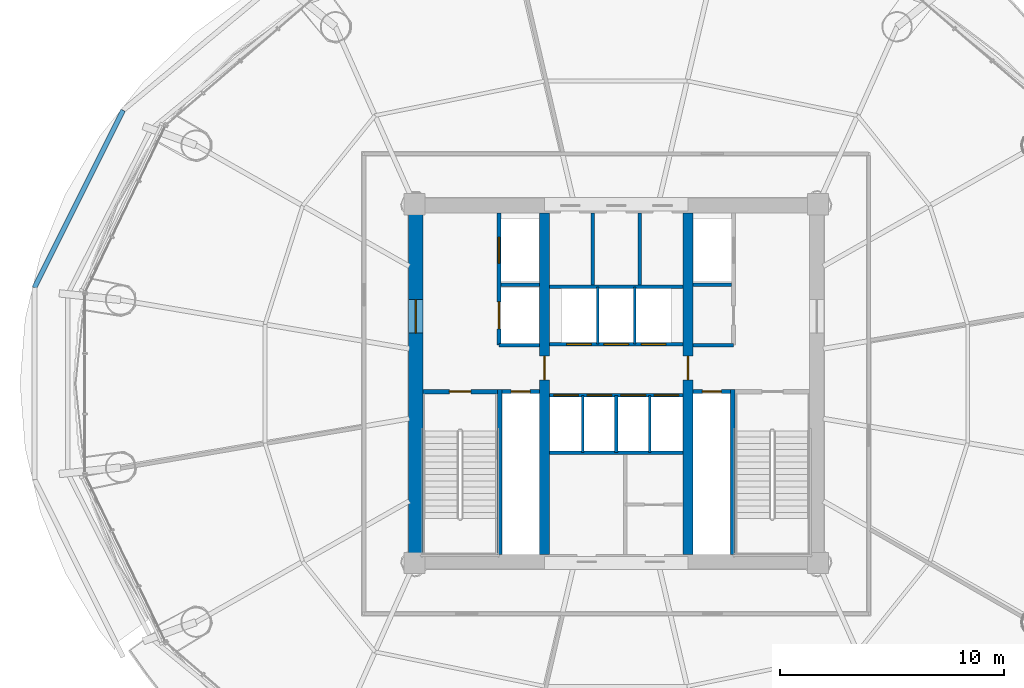
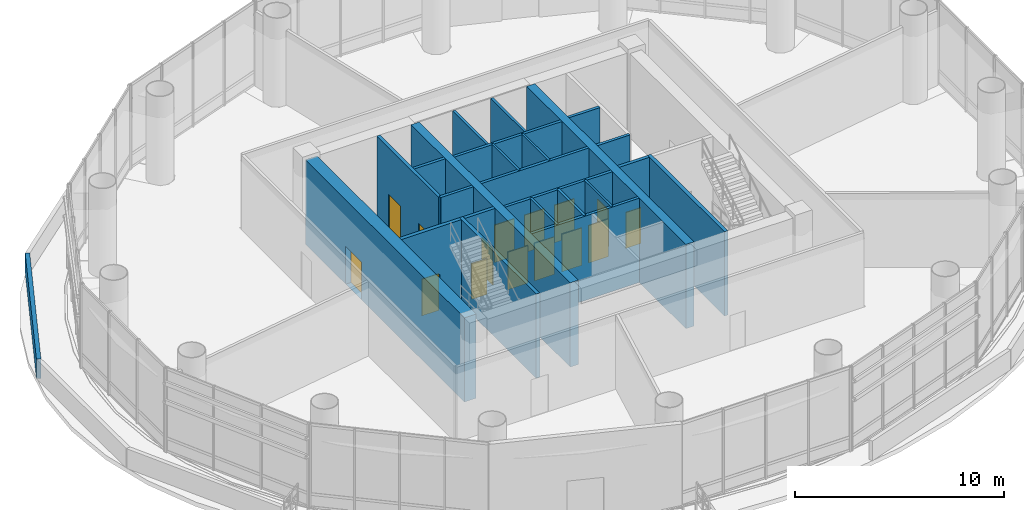
# One storey, part 22 of 29: 25 walls, 15 doors, 15 openings.
"""IFC4 building model written with IfcOpenShell, lengths in metres."""

from ifc_helpers import new_model, si_unit, direction, frame, frame_2d, origin, place, context, subcontext, project, spatial, rectangle, extrude, source, transform, mapped, material, layer, layer_set, type_object, element, fill, save


model = new_model("IFC4")

# Units and contexts
model_context = context("Model", 3, precision=1e-05, world=origin(), true_north=direction((-0.2419218956, 0.970295726276)))
body_context = subcontext(model_context, "Body", "Model", "MODEL_VIEW")
ifc_project = project(units=[si_unit("LENGTHUNIT", "METRE"), si_unit("AREAUNIT", "SQUARE_METRE"), si_unit("VOLUMEUNIT", "CUBIC_METRE"), si_unit("PLANEANGLEUNIT", "RADIAN"), si_unit("MASSUNIT", "GRAM", prefix="KILO")], contexts=[model_context])

# Site, building, storey
site_placement = place(None, origin())
site = spatial("IfcSite", under=ifc_project, at=site_placement, CompositionType="ELEMENT")
building_placement = place(site_placement, origin())
building = spatial("IfcBuilding", under=site, at=building_placement, Name="Cobrevalo Terracotta Tower", CompositionType="ELEMENT")
storey_placement = place(building_placement, frame((0.0, 0.0, 130.199951171875)))
storey = spatial("IfcBuildingStorey", under=building, at=storey_placement, Name="L34", CompositionType="ELEMENT", Elevation=130.199951171875)

# Wall, opening, door
ifc_material_1 = material(Name="Concrete C55", Category="concrete")
ifc_layer_1 = layer(ifc_material_1, 0.64990234375)
ifc_layer_set_1 = layer_set([ifc_layer_1], Name="Concrete C55")
wall_type_1 = type_object("IfcWallType", Name="Core shear wall 650 mm Concrete C55", PredefinedType="SHEAR", material=ifc_layer_set_1)
wall_1_placement = place(storey_placement, frame((29.050048828125, 19.175048828125, 0.0), z_axis=(0.0, 0.0, 1.0), x_axis=(0.0, 1.0, 0.0)))
wall_1 = element("IfcWall", 1, at=wall_1_placement, inside=storey, type_object=wall_type_1, Name="L34 west core shear wall", PredefinedType="SHEAR", context=body_context, shape_type="SweptSolid", body=[
    extrude(rectangle(XDim=15.25, YDim=0.64990234375, at=frame_2d((7.625, 0.0))), origin(), (0.0, 0.0, 1.0), 4.929931640625),
])
opening_1_placement = place(wall_1_placement, frame((9.875, 0.0, 0.0)))
opening_1 = element("IfcOpeningElement", 2, at=opening_1_placement, cuts=wall_1, Name="Opening ID-14", PredefinedType="OPENING", context=body_context, shape_type="SweptSolid", body=[
    extrude(rectangle(XDim=1.5, YDim=2.199951171875, at=frame_2d((0.75, 1.10009765625))), frame((0.0, 0.3349609375, 0.0), z_axis=(0.0, -1.0, 0.0), x_axis=(1.0, 0.0, 0.0)), (0.0, 0.0, 1.0), 0.669921875),
])
ifc_material_2 = material(Name="Galvanized fire-rated steel", Category="steel")
door_type_1 = type_object("IfcDoorType", Name="Core cross-lobby double fire door 1500x2200 EI 90", OperationType="NOTDEFINED", PredefinedType="DOOR", material=ifc_material_2)
shared_shape_1 = source(origin(), body_context, "Body", "SweptSolid", [
    extrude(rectangle(XDim=1.5, YDim=2.199951171875, at=frame_2d((0.75, 1.10009765625))), frame((0.0, 0.02490234375, 0.0), z_axis=(0.0, -1.0, 0.0), x_axis=(1.0, 0.0, 0.0)), (0.0, 0.0, 1.0), 0.050048828125),
])
door_1_placement = place(opening_1_placement, origin())
door_1 = element("IfcDoor", 3, at=door_1_placement, inside=storey, type_object=door_type_1, Name="L34 west firefighting lobby entrance door", OperationType="DOUBLE_DOOR_SINGLE_SWING", OverallHeight=2.199951171875, OverallWidth=1.5, PredefinedType="DOOR", context=body_context, shape_type="MappedRepresentation", body=[
    mapped(shared_shape_1, transform((0.0, 0.0, 0.0), scale=1.0)),
])
fill(opening_1, door_1)

# Walls
ifc_material_3 = material(Name="Gypsum board on steel stud", Category="steel")
ifc_layer_2 = layer(ifc_material_3, 0.159912109375)
ifc_layer_set_2 = layer_set([ifc_layer_2], Name="Gypsum board on steel stud")
wall_type_2 = type_object("IfcWallType", Name="Fire-rated corridor acoustic partition wall 160 mm", PredefinedType="PARTITIONING", material=ifc_layer_set_2)
wall_2_placement = place(storey_placement, frame((32.860107421875, 31.219970703125, 0.0), z_axis=(0.0, 0.0, 1.0), x_axis=(1.0, 0.0, 0.0)))
element("IfcWall", 4, at=wall_2_placement, inside=storey, type_object=wall_type_2, Name="L34 interior partition IW-L34-FF1-M", PredefinedType="PARTITIONING", context=body_context, shape_type="SweptSolid", body=[
    extrude(rectangle(XDim=1.71484375, YDim=0.159912109375, at=frame_2d((0.857421875, 0.0))), origin(), (0.0, 0.0, 1.0), 4.929931640625),
])
wall_3_placement = place(storey_placement, frame((32.77001953125, 28.52001953125, 0.0), z_axis=(0.0, 0.0, 1.0), x_axis=(1.0, 0.0, 0.0)))
element("IfcWall", 5, at=wall_3_placement, inside=storey, type_object=wall_type_2, Name="L34 interior partition IW-L34-FF1-S", PredefinedType="PARTITIONING", context=body_context, shape_type="SweptSolid", body=[
    extrude(rectangle(XDim=1.804931640625, YDim=0.159912109375, at=frame_2d((0.90234375, 0.0))), origin(), (0.0, 0.0, 1.0), 4.929931640625),
])
wall_4_placement = place(storey_placement, frame((41.425048828125, 31.219970703125, 0.0), z_axis=(0.0, 0.0, 1.0), x_axis=(1.0, 0.0, 0.0)))
element("IfcWall", 6, at=wall_4_placement, inside=storey, type_object=wall_type_2, Name="L34 interior partition IW-L34-FF2-M", PredefinedType="PARTITIONING", context=body_context, shape_type="SweptSolid", body=[
    extrude(rectangle(XDim=1.71484375, YDim=0.159912109375, at=frame_2d((0.857421875, 0.0))), origin(), (0.0, 0.0, 1.0), 4.929931640625),
])
wall_5_placement = place(storey_placement, frame((41.425048828125, 28.52001953125, 0.0), z_axis=(0.0, 0.0, 1.0), x_axis=(1.0, 0.0, 0.0)))
element("IfcWall", 7, at=wall_5_placement, inside=storey, type_object=wall_type_2, Name="L34 interior partition IW-L34-FF2-S", PredefinedType="PARTITIONING", context=body_context, shape_type="SweptSolid", body=[
    extrude(rectangle(XDim=1.804931640625, YDim=0.159912109375, at=frame_2d((0.90234375, 0.0))), origin(), (0.0, 0.0, 1.0), 4.929931640625),
])

# Wall, openings, doors
wall_6_placement = place(storey_placement, frame((35.02490234375, 28.56005859375, 0.0), z_axis=(0.0, 0.0, 1.0), x_axis=(1.0, 0.0, 0.0)))
wall_6 = element("IfcWall", 8, at=wall_6_placement, inside=storey, type_object=wall_type_2, Name="L34 interior partition IW-L34-LB-S", PredefinedType="PARTITIONING", context=body_context, shape_type="SweptSolid", body=[
    extrude(rectangle(XDim=5.9501953125, YDim=0.159912109375, at=frame_2d((2.97509765625, 0.0))), origin(), (0.0, 0.0, 1.0), 4.929931640625),
])
opening_2_placement = place(wall_6_placement, frame((0.760009765625, 0.0, 0.0)))
opening_2 = element("IfcOpeningElement", 9, at=opening_2_placement, cuts=wall_6, Name="Opening LD-01", PredefinedType="OPENING", context=body_context, shape_type="SweptSolid", body=[
    extrude(rectangle(XDim=1.10009765625, YDim=2.199951171875, at=frame_2d((0.550048828125, 1.10009765625))), frame((0.0, 0.08984375, 0.0), z_axis=(0.0, -1.0, 0.0), x_axis=(1.0, 0.0, 0.0)), (0.0, 0.0, 1.0), 0.179931640625),
])
opening_3_placement = place(wall_6_placement, frame((2.425048828125, 0.0, 0.0)))
opening_3 = element("IfcOpeningElement", 10, at=opening_3_placement, cuts=wall_6, Name="Opening LD-01", PredefinedType="OPENING", context=body_context, shape_type="SweptSolid", body=[
    extrude(rectangle(XDim=1.10009765625, YDim=2.199951171875, at=frame_2d((0.550048828125, 1.10009765625))), frame((0.0, 0.08984375, 0.0), z_axis=(0.0, -1.0, 0.0), x_axis=(1.0, 0.0, 0.0)), (0.0, 0.0, 1.0), 0.179931640625),
])
opening_4_placement = place(wall_6_placement, frame((4.090087890625, 0.0, 0.0)))
opening_4 = element("IfcOpeningElement", 11, at=opening_4_placement, cuts=wall_6, Name="Opening LD-01", PredefinedType="OPENING", context=body_context, shape_type="SweptSolid", body=[
    extrude(rectangle(XDim=1.10009765625, YDim=2.199951171875, at=frame_2d((0.550048828125, 1.10009765625))), frame((0.0, 0.08984375, 0.0), z_axis=(0.0, -1.0, 0.0), x_axis=(1.0, 0.0, 0.0)), (0.0, 0.0, 1.0), 0.179931640625),
])
ifc_material_4 = material(Name="Brushed stainless steel", Category="steel")
door_type_2 = type_object("IfcDoorType", Name="Passenger lift landing bi-parting sliding door 1100x2200 EI 90", OperationType="DOUBLE_DOOR_SLIDING", PredefinedType="DOOR", material=ifc_material_4)
shared_shape_2 = source(origin(), body_context, "Body", "SweptSolid", [
    extrude(rectangle(XDim=1.10009765625, YDim=2.199951171875, at=frame_2d((0.550048828125, 1.10009765625))), frame((0.0, 0.02490234375, 0.0), z_axis=(0.0, -1.0, 0.0), x_axis=(1.0, 0.0, 0.0)), (0.0, 0.0, 1.0), 0.050048828125),
])
door_2_placement = place(opening_2_placement, origin())
door_2 = element("IfcDoor", 12, at=door_2_placement, inside=storey, type_object=door_type_2, Name="L34 lift landing door PL-L1", OperationType="DOUBLE_DOOR_SLIDING", OverallHeight=2.199951171875, OverallWidth=1.10009765625, PredefinedType="DOOR", context=body_context, shape_type="MappedRepresentation", body=[
    mapped(shared_shape_2, transform((0.0, 0.0, 0.0), scale=1.0)),
])
fill(opening_2, door_2)
door_3_placement = place(opening_3_placement, origin())
door_3 = element("IfcDoor", 13, at=door_3_placement, inside=storey, type_object=door_type_2, Name="L34 lift landing door PL-L2", OperationType="DOUBLE_DOOR_SLIDING", OverallHeight=2.199951171875, OverallWidth=1.10009765625, PredefinedType="DOOR", context=body_context, shape_type="MappedRepresentation", body=[
    mapped(shared_shape_2, transform((0.0, 0.0, 0.0), scale=1.0)),
])
fill(opening_3, door_3)
door_4_placement = place(opening_4_placement, origin())
door_4 = element("IfcDoor", 14, at=door_4_placement, inside=storey, type_object=door_type_2, Name="L34 lift landing door PL-L3", OperationType="DOUBLE_DOOR_SLIDING", OverallHeight=2.199951171875, OverallWidth=1.10009765625, PredefinedType="DOOR", context=body_context, shape_type="MappedRepresentation", body=[
    mapped(shared_shape_2, transform((0.0, 0.0, 0.0), scale=1.0)),
])
fill(opening_4, door_4)

# Wall
wall_7_placement = place(storey_placement, frame((35.02490234375, 31.1201171875, 0.0), z_axis=(0.0, 0.0, 1.0), x_axis=(1.0, 0.0, 0.0)))
element("IfcWall", 15, at=wall_7_placement, inside=storey, type_object=wall_type_2, Name="L34 interior partition IW-L34-LB-N", PredefinedType="PARTITIONING", context=body_context, shape_type="SweptSolid", body=[
    extrude(rectangle(XDim=5.9501953125, YDim=0.159912109375, at=frame_2d((2.97509765625, 0.0))), origin(), (0.0, 0.0, 1.0), 4.929931640625),
])

# Wall, openings, doors
wall_8_placement = place(storey_placement, frame((35.02490234375, 26.280029296875, 0.0), z_axis=(0.0, 0.0, 1.0), x_axis=(1.0, 0.0, 0.0)))
wall_8 = element("IfcWall", 16, at=wall_8_placement, inside=storey, type_object=wall_type_2, Name="L34 interior partition IW-L34-MB-N", PredefinedType="PARTITIONING", context=body_context, shape_type="SweptSolid", body=[
    extrude(rectangle(XDim=5.9501953125, YDim=0.159912109375, at=frame_2d((2.97509765625, 0.0))), origin(), (0.0, 0.0, 1.0), 4.929931640625),
])
opening_5_placement = place(wall_8_placement, frame((0.18994140625, 0.0, 0.0)))
opening_5 = element("IfcOpeningElement", 17, at=opening_5_placement, cuts=wall_8, Name="Opening LD-01", PredefinedType="OPENING", context=body_context, shape_type="SweptSolid", body=[
    extrude(rectangle(XDim=1.10009765625, YDim=2.199951171875, at=frame_2d((0.550048828125, 1.10009765625))), frame((0.0, 0.08984375, 0.0), z_axis=(0.0, -1.0, 0.0), x_axis=(1.0, 0.0, 0.0)), (0.0, 0.0, 1.0), 0.179931640625),
])
opening_6_placement = place(wall_8_placement, frame((1.669921875, 0.0, 0.0)))
opening_6 = element("IfcOpeningElement", 18, at=opening_6_placement, cuts=wall_8, Name="Opening LD-01", PredefinedType="OPENING", context=body_context, shape_type="SweptSolid", body=[
    extrude(rectangle(XDim=1.10009765625, YDim=2.199951171875, at=frame_2d((0.550048828125, 1.10009765625))), frame((0.0, 0.08984375, 0.0), z_axis=(0.0, -1.0, 0.0), x_axis=(1.0, 0.0, 0.0)), (0.0, 0.0, 1.0), 0.179931640625),
])
opening_7_placement = place(wall_8_placement, frame((3.179931640625, 0.0, 0.0)))
opening_7 = element("IfcOpeningElement", 19, at=opening_7_placement, cuts=wall_8, Name="Opening LD-01", PredefinedType="OPENING", context=body_context, shape_type="SweptSolid", body=[
    extrude(rectangle(XDim=1.10009765625, YDim=2.199951171875, at=frame_2d((0.550048828125, 1.10009765625))), frame((0.0, 0.08984375, 0.0), z_axis=(0.0, -1.0, 0.0), x_axis=(1.0, 0.0, 0.0)), (0.0, 0.0, 1.0), 0.179931640625),
])
opening_8_placement = place(wall_8_placement, frame((4.659912109375, 0.0, 0.0)))
opening_8 = element("IfcOpeningElement", 20, at=opening_8_placement, cuts=wall_8, Name="Opening LD-01", PredefinedType="OPENING", context=body_context, shape_type="SweptSolid", body=[
    extrude(rectangle(XDim=1.10009765625, YDim=2.199951171875, at=frame_2d((0.550048828125, 1.10009765625))), frame((0.0, 0.08984375, 0.0), z_axis=(0.0, -1.0, 0.0), x_axis=(1.0, 0.0, 0.0)), (0.0, 0.0, 1.0), 0.179931640625),
])
door_5_placement = place(opening_5_placement, origin())
door_5 = element("IfcDoor", 21, at=door_5_placement, inside=storey, type_object=door_type_2, Name="L34 lift landing door PL-M1", OperationType="DOUBLE_DOOR_SLIDING", OverallHeight=2.199951171875, OverallWidth=1.10009765625, PredefinedType="DOOR", context=body_context, shape_type="MappedRepresentation", body=[
    mapped(shared_shape_2, transform((0.0, 0.0, 0.0), scale=1.0)),
])
fill(opening_5, door_5)
door_6_placement = place(opening_6_placement, origin())
door_6 = element("IfcDoor", 22, at=door_6_placement, inside=storey, type_object=door_type_2, Name="L34 lift landing door PL-M2", OperationType="DOUBLE_DOOR_SLIDING", OverallHeight=2.199951171875, OverallWidth=1.10009765625, PredefinedType="DOOR", context=body_context, shape_type="MappedRepresentation", body=[
    mapped(shared_shape_2, transform((0.0, 0.0, 0.0), scale=1.0)),
])
fill(opening_6, door_6)
door_7_placement = place(opening_7_placement, origin())
door_7 = element("IfcDoor", 23, at=door_7_placement, inside=storey, type_object=door_type_2, Name="L34 lift landing door PL-H1", OperationType="DOUBLE_DOOR_SLIDING", OverallHeight=2.199951171875, OverallWidth=1.10009765625, PredefinedType="DOOR", context=body_context, shape_type="MappedRepresentation", body=[
    mapped(shared_shape_2, transform((0.0, 0.0, 0.0), scale=1.0)),
])
fill(opening_7, door_7)
door_8_placement = place(opening_8_placement, origin())
door_8 = element("IfcDoor", 24, at=door_8_placement, inside=storey, type_object=door_type_2, Name="L34 lift landing door PL-H2", OperationType="DOUBLE_DOOR_SLIDING", OverallHeight=2.199951171875, OverallWidth=1.10009765625, PredefinedType="DOOR", context=body_context, shape_type="MappedRepresentation", body=[
    mapped(shared_shape_2, transform((0.0, 0.0, 0.0), scale=1.0)),
])
fill(opening_8, door_8)

# Wall
wall_9_placement = place(storey_placement, frame((35.02490234375, 23.719970703125, 0.0), z_axis=(0.0, 0.0, 1.0), x_axis=(1.0, 0.0, 0.0)))
element("IfcWall", 25, at=wall_9_placement, inside=storey, type_object=wall_type_2, Name="L34 interior partition IW-L34-MB-S", PredefinedType="PARTITIONING", context=body_context, shape_type="SweptSolid", body=[
    extrude(rectangle(XDim=5.9501953125, YDim=0.159912109375, at=frame_2d((2.97509765625, 0.0))), origin(), (0.0, 0.0, 1.0), 4.929931640625),
])

# Wall, opening, door
ifc_layer_3 = layer(ifc_material_3, 0.179931640625)
ifc_layer_set_3 = layer_set([ifc_layer_3], Name="Gypsum board on steel stud")
wall_type_3 = type_object("IfcWallType", Name="Fire-rated shaft & lobby acoustic partition wall 180 mm", PredefinedType="PARTITIONING", material=ifc_layer_set_3)
wall_10_placement = place(storey_placement, frame((32.89990234375, 26.449951171875, 0.0), z_axis=(0.0, 0.0, 1.0), x_axis=(1.0, 0.0, 0.0)))
wall_10 = element("IfcWall", 26, at=wall_10_placement, inside=storey, type_object=wall_type_3, Name="L34 interior partition IW-L34-RSW-N", PredefinedType="PARTITIONING", context=body_context, shape_type="SweptSolid", body=[
    extrude(rectangle(XDim=1.675048828125, YDim=0.179931640625, at=frame_2d((0.83740234375, 0.0))), origin(), (0.0, 0.0, 1.0), 4.929931640625),
])
opening_9_placement = place(wall_10_placement, frame((0.41259765625, 0.0, 0.0)))
opening_9 = element("IfcOpeningElement", 27, at=opening_9_placement, cuts=wall_10, Name="Opening ID-22", PredefinedType="OPENING", context=body_context, shape_type="SweptSolid", body=[
    extrude(rectangle(XDim=0.85009765625, YDim=2.10009765625, at=frame_2d((0.425048828125, 1.050048828125))), frame((0.0, 0.10009765625, 0.0), z_axis=(0.0, -1.0, 0.0), x_axis=(1.0, 0.0, 0.0)), (0.0, 0.0, 1.0), 0.199951171875),
])
ifc_material_5 = material(Name="Powder-coated steel", Category="steel")
door_type_3 = type_object("IfcDoorType", Name="Riser shaft & meter closet fire access door 850x2100 EI 60", OperationType="NOTDEFINED", PredefinedType="DOOR", material=ifc_material_5)
shared_shape_3 = source(origin(), body_context, "Body", "SweptSolid", [
    extrude(rectangle(XDim=0.85009765625, YDim=2.10009765625, at=frame_2d((0.425048828125, 1.050048828125))), frame((0.0, 0.02490234375, 0.0), z_axis=(0.0, -1.0, 0.0), x_axis=(1.0, 0.0, 0.0)), (0.0, 0.0, 1.0), 0.050048828125),
])
door_9_placement = place(opening_9_placement, origin())
door_9 = element("IfcDoor", 28, at=door_9_placement, inside=storey, type_object=door_type_3, Name="L34 riser access door RSW", OperationType="SINGLE_SWING_LEFT", OverallHeight=2.10009765625, OverallWidth=0.85009765625, PredefinedType="DOOR", context=body_context, shape_type="MappedRepresentation", body=[
    mapped(shared_shape_3, transform((0.0, 0.0, 0.0), scale=1.0)),
])
fill(opening_9, door_9)

wall_11_placement = place(storey_placement, frame((41.425048828125, 26.449951171875, 0.0), z_axis=(0.0, 0.0, 1.0), x_axis=(1.0, 0.0, 0.0)))
wall_11 = element("IfcWall", 29, at=wall_11_placement, inside=storey, type_object=wall_type_3, Name="L34 interior partition IW-L34-RSE-N", PredefinedType="PARTITIONING", context=body_context, shape_type="SweptSolid", body=[
    extrude(rectangle(XDim=1.675048828125, YDim=0.179931640625, at=frame_2d((0.83740234375, 0.0))), origin(), (0.0, 0.0, 1.0), 4.929931640625),
])
opening_10_placement = place(wall_11_placement, frame((0.41259765625, 0.0, 0.0)))
opening_10 = element("IfcOpeningElement", 30, at=opening_10_placement, cuts=wall_11, Name="Opening ID-22", PredefinedType="OPENING", context=body_context, shape_type="SweptSolid", body=[
    extrude(rectangle(XDim=0.85009765625, YDim=2.10009765625, at=frame_2d((0.425048828125, 1.050048828125))), frame((0.0, 0.10009765625, 0.0), z_axis=(0.0, -1.0, 0.0), x_axis=(1.0, 0.0, 0.0)), (0.0, 0.0, 1.0), 0.199951171875),
])
door_10_placement = place(opening_10_placement, origin())
door_10 = element("IfcDoor", 31, at=door_10_placement, inside=storey, type_object=door_type_3, Name="L34 riser access door RSE", OperationType="SINGLE_SWING_RIGHT", OverallHeight=2.10009765625, OverallWidth=0.85009765625, PredefinedType="DOOR", context=body_context, shape_type="MappedRepresentation", body=[
    mapped(shared_shape_3, transform((0.0, 0.0, 0.0), scale=1.0)),
])
fill(opening_10, door_10)

# Wall, openings, doors
wall_12_placement = place(storey_placement, frame((32.77001953125, 28.52001953125, 0.0), z_axis=(0.0, 0.0, 1.0), x_axis=(0.0, 1.0, 0.0)))
wall_12 = element("IfcWall", 32, at=wall_12_placement, inside=storey, type_object=wall_type_3, Name="L34 interior partition IW-L34-FF1-W", PredefinedType="PARTITIONING", context=body_context, shape_type="SweptSolid", body=[
    extrude(rectangle(XDim=5.905029296875, YDim=0.179931640625, at=frame_2d((2.95263671875, 0.0))), origin(), (0.0, 0.0, 1.0), 4.929931640625),
])
opening_11_placement = place(wall_12_placement, frame((3.655029296875, 0.0, 0.0)))
opening_11 = element("IfcOpeningElement", 33, at=opening_11_placement, cuts=wall_12, Name="Opening LD-02", PredefinedType="OPENING", context=body_context, shape_type="SweptSolid", body=[
    extrude(rectangle(XDim=1.14990234375, YDim=2.199951171875, at=frame_2d((0.574951171875, 1.10009765625))), frame((0.0, 0.10009765625, 0.0), z_axis=(0.0, -1.0, 0.0), x_axis=(1.0, 0.0, 0.0)), (0.0, 0.0, 1.0), 0.199951171875),
])
opening_12_placement = place(wall_12_placement, frame((0.72998046875, 0.0, 0.0)))
opening_12 = element("IfcOpeningElement", 34, at=opening_12_placement, cuts=wall_12, Name="Opening LD-03", PredefinedType="OPENING", context=body_context, shape_type="SweptSolid", body=[
    extrude(rectangle(XDim=1.199951171875, YDim=2.25, at=frame_2d((0.60009765625, 1.125))), frame((0.0, 0.10009765625, 0.0), z_axis=(0.0, -1.0, 0.0), x_axis=(1.0, 0.0, 0.0)), (0.0, 0.0, 1.0), 0.199951171875),
])
door_type_4 = type_object("IfcDoorType", Name="Firefighting lift landing bi-parting sliding door 1150x2200 EI 120", OperationType="DOUBLE_DOOR_SLIDING", PredefinedType="DOOR", material=ifc_material_4)
shared_shape_4 = source(origin(), body_context, "Body", "SweptSolid", [
    extrude(rectangle(XDim=1.14990234375, YDim=2.199951171875, at=frame_2d((0.574951171875, 1.10009765625))), frame((0.0, 0.02490234375, 0.0), z_axis=(0.0, -1.0, 0.0), x_axis=(1.0, 0.0, 0.0)), (0.0, 0.0, 1.0), 0.050048828125),
])
door_11_placement = place(opening_11_placement, origin())
door_11 = element("IfcDoor", 35, at=door_11_placement, inside=storey, type_object=door_type_4, Name="L34 lift landing door FF-1", OperationType="DOUBLE_DOOR_SLIDING", OverallHeight=2.199951171875, OverallWidth=1.14990234375, PredefinedType="DOOR", context=body_context, shape_type="MappedRepresentation", body=[
    mapped(shared_shape_4, transform((0.0, 0.0, 0.0), scale=1.0)),
])
fill(opening_11, door_11)
door_type_5 = type_object("IfcDoorType", Name="Service lift landing bi-parting sliding door 1200x2250 EI 120", OperationType="DOUBLE_DOOR_SLIDING", PredefinedType="DOOR", material=ifc_material_4)
shared_shape_5 = source(origin(), body_context, "Body", "SweptSolid", [
    extrude(rectangle(XDim=1.199951171875, YDim=2.25, at=frame_2d((0.60009765625, 1.125))), frame((0.0, 0.02490234375, 0.0), z_axis=(0.0, -1.0, 0.0), x_axis=(1.0, 0.0, 0.0)), (0.0, 0.0, 1.0), 0.050048828125),
])
door_12_placement = place(opening_12_placement, origin())
door_12 = element("IfcDoor", 36, at=door_12_placement, inside=storey, type_object=door_type_5, Name="L34 lift landing door SV-1", OperationType="DOUBLE_DOOR_SLIDING", OverallHeight=2.25, OverallWidth=1.199951171875, PredefinedType="DOOR", context=body_context, shape_type="MappedRepresentation", body=[
    mapped(shared_shape_5, transform((0.0, 0.0, 0.0), scale=1.0)),
])
fill(opening_12, door_12)

# Walls
ifc_material_6 = material(Name="Autoclaved aerated concrete block", Category="concrete")
ifc_layer_4 = layer(ifc_material_6, 0.1201171875)
ifc_layer_set_4 = layer_set([ifc_layer_4], Name="Autoclaved aerated concrete block")
wall_type_4 = type_object("IfcWallType", Name="Fire-rated wet-room & core service partition 120 mm", PredefinedType="PARTITIONING", material=ifc_layer_set_4)
for number, where, z_axis, x_axis, name in (
    (37, (37.169921875, 28.56005859375, 0.0), (0.0, 0.0, 1.0), (0.0, 1.0, 0.0), "L34 interior partition IW-L34-LB-D1"),
    (38, (38.830078125, 28.56005859375, 0.0), (0.0, 0.0, 1.0), (0.0, 1.0, 0.0), "L34 interior partition IW-L34-LB-D2"),
    (39, (36.5, 23.719970703125, 0.0), (0.0, 0.0, 1.0), (0.0, 1.0, 0.0), "L34 interior partition IW-L34-MB-D1"),
    (40, (39.5, 23.719970703125, 0.0), (0.0, 0.0, 1.0), (0.0, 1.0, 0.0), "L34 interior partition IW-L34-MB-D3"),
):
    element("IfcWall", number, at=place(storey_placement, frame(where, z_axis=z_axis, x_axis=x_axis)), inside=storey, type_object=wall_type_4, Name=name, PredefinedType="PARTITIONING", context=body_context, shape_type="SweptSolid", body=[
        extrude(rectangle(XDim=2.56005859375, YDim=0.1201171875, at=frame_2d((1.280029296875, 0.0))), origin(), (0.0, 0.0, 1.0), 4.929931640625),
    ])

# Wall, opening, door
ifc_layer_5 = layer(ifc_material_1, 0.449951171875)
ifc_layer_set_5 = layer_set([ifc_layer_5], Name="Concrete C55")
wall_type_5 = type_object("IfcWallType", Name="Internal core shear web wall 450 mm Concrete C55", PredefinedType="SHEAR", material=ifc_layer_set_5)
wall_13_placement = place(storey_placement, frame((34.800048828125, 19.175048828125, 0.0), z_axis=(0.0, 0.0, 1.0), x_axis=(0.0, 1.0, 0.0)))
wall_13 = element("IfcWall", 41, at=wall_13_placement, inside=storey, type_object=wall_type_5, Name="L34 internal core shear wall WEB-W", PredefinedType="SHEAR", context=body_context, shape_type="SweptSolid", body=[
    extrude(rectangle(XDim=15.25, YDim=0.449951171875, at=frame_2d((7.625, 0.0))), origin(), (0.0, 0.0, 1.0), 4.929931640625),
])
opening_13_placement = place(wall_13_placement, frame((7.800048828125, 0.0, 0.0)))
opening_13 = element("IfcOpeningElement", 42, at=opening_13_placement, cuts=wall_13, Name="Opening ID-11", PredefinedType="OPENING", context=body_context, shape_type="SweptSolid", body=[
    extrude(rectangle(XDim=1.050048828125, YDim=2.14990234375, at=frame_2d((0.52490234375, 1.074951171875))), frame((0.0, 0.23486328125, 0.0), z_axis=(0.0, -1.0, 0.0), x_axis=(1.0, 0.0, 0.0)), (0.0, 0.0, 1.0), 0.469970703125),
])
door_type_6 = type_object("IfcDoorType", Name="Core concourse cross fire door 1050x2150 EI 90", OperationType="NOTDEFINED", PredefinedType="DOOR", material=ifc_material_2)
shared_shape_6 = source(origin(), body_context, "Body", "SweptSolid", [
    extrude(rectangle(XDim=1.050048828125, YDim=2.14990234375, at=frame_2d((0.52490234375, 1.074951171875))), frame((0.0, 0.02490234375, 0.0), z_axis=(0.0, -1.0, 0.0), x_axis=(1.0, 0.0, 0.0)), (0.0, 0.0, 1.0), 0.050048828125),
])
door_13_placement = place(opening_13_placement, origin())
door_13 = element("IfcDoor", 43, at=door_13_placement, inside=storey, type_object=door_type_6, Name="L34 west core concourse cross door", OperationType="SINGLE_SWING_LEFT", OverallHeight=2.14990234375, OverallWidth=1.050048828125, PredefinedType="DOOR", context=body_context, shape_type="MappedRepresentation", body=[
    mapped(shared_shape_6, transform((0.0, 0.0, 0.0), scale=1.0)),
])
fill(opening_13, door_13)

wall_14_placement = place(storey_placement, frame((41.199951171875, 19.175048828125, 0.0), z_axis=(0.0, 0.0, 1.0), x_axis=(0.0, 1.0, 0.0)))
wall_14 = element("IfcWall", 44, at=wall_14_placement, inside=storey, type_object=wall_type_5, Name="L34 internal core shear wall WEB-E", PredefinedType="SHEAR", context=body_context, shape_type="SweptSolid", body=[
    extrude(rectangle(XDim=15.25, YDim=0.449951171875, at=frame_2d((7.625, 0.0))), origin(), (0.0, 0.0, 1.0), 4.929931640625),
])
opening_14_placement = place(wall_14_placement, frame((7.800048828125, 0.0, 0.0)))
opening_14 = element("IfcOpeningElement", 45, at=opening_14_placement, cuts=wall_14, Name="Opening ID-11", PredefinedType="OPENING", context=body_context, shape_type="SweptSolid", body=[
    extrude(rectangle(XDim=1.050048828125, YDim=2.14990234375, at=frame_2d((0.52490234375, 1.074951171875))), frame((0.0, 0.23486328125, 0.0), z_axis=(0.0, -1.0, 0.0), x_axis=(1.0, 0.0, 0.0)), (0.0, 0.0, 1.0), 0.469970703125),
])
door_14_placement = place(opening_14_placement, frame((1.050048828125, 0.0, 0.0), z_axis=(0.0, 0.0, 1.0), x_axis=(-1.0, 0.0, 0.0)))
door_14 = element("IfcDoor", 46, at=door_14_placement, inside=storey, type_object=door_type_6, Name="L34 east core concourse cross door", OperationType="SINGLE_SWING_RIGHT", OverallHeight=2.14990234375, OverallWidth=1.050048828125, PredefinedType="DOOR", context=body_context, shape_type="MappedRepresentation", body=[
    mapped(shared_shape_6, transform((0.0, 0.0, 0.0), scale=1.0)),
])
fill(opening_14, door_14)

# Walls
ifc_layer_6 = layer(ifc_material_6, 0.139892578125)
ifc_layer_set_6 = layer_set([ifc_layer_6], Name="Autoclaved aerated concrete block")
wall_type_6 = type_object("IfcWallType", Name="Moisture-resistant wet-room & core service partition 140 mm", PredefinedType="PARTITIONING", material=ifc_layer_set_6)
for number, where, z_axis, x_axis, name in (
    (47, (36.949951171875, 31.199951171875, 0.0), (0.0, 0.0, 1.0), (0.0, 1.0, 0.0), "L34 interior partition IW-L34-KVN-A"),
    (48, (39.050048828125, 31.199951171875, 0.0), (0.0, 0.0, 1.0), (0.0, 1.0, 0.0), "L34 interior partition IW-L34-KVN-B"),
):
    element("IfcWall", number, at=place(storey_placement, frame(where, z_axis=z_axis, x_axis=x_axis)), inside=storey, type_object=wall_type_6, Name=name, PredefinedType="PARTITIONING", context=body_context, shape_type="SweptSolid", body=[
        extrude(rectangle(XDim=3.22509765625, YDim=0.139892578125, at=frame_2d((1.612548828125, 0.0))), origin(), (0.0, 0.0, 1.0), 4.929931640625),
    ])
wall_15_placement = place(storey_placement, frame((38.0, 23.719970703125, 0.0), z_axis=(0.0, 0.0, 1.0), x_axis=(0.0, 1.0, 0.0)))
element("IfcWall", 49, at=wall_15_placement, inside=storey, type_object=wall_type_6, Name="L34 interior partition IW-L34-MB-D2", PredefinedType="PARTITIONING", context=body_context, shape_type="SweptSolid", body=[
    extrude(rectangle(XDim=2.56005859375, YDim=0.139892578125, at=frame_2d((1.280029296875, 0.0))), origin(), (0.0, 0.0, 1.0), 4.929931640625),
])
ifc_material_7 = material(Name="Precast concrete C45", Category="concrete")
ifc_layer_7 = layer(ifc_material_7, 0.219970703125)
ifc_layer_set_7 = layer_set([ifc_layer_7], Name="Precast concrete C45")
wall_type_7 = type_object("IfcWallType", Name="Precast concrete roof and setback terrace parapet wall 220 mm", PredefinedType="PARAPET", material=ifc_layer_set_7)
wall_16_placement = place(storey_placement, frame((15.999267578125, 39.000244140625, 0.0), z_axis=(0.0, 0.0, 1.0), x_axis=(-0.446573272083, -0.894747066305, 0.0)))
element("IfcWall", 50, at=wall_16_placement, inside=storey, type_object=wall_type_7, Name="L34 setback roof concrete parapet 07", PredefinedType="PARAPET", context=body_context, shape_type="SweptSolid", body=[
    extrude(rectangle(XDim=8.84716796875, YDim=0.219970703125, at=frame_2d((4.423583984375, 0.0))), origin(), (0.0, 0.0, 1.0), 1.150146484375),
])
ifc_material_8 = material(Name="Concrete C50", Category="concrete")
ifc_layer_8 = layer(ifc_material_8, 0.199951171875)
ifc_layer_set_8 = layer_set([ifc_layer_8], Name="Concrete C50")
wall_type_8 = type_object("IfcWallType", Name="Structural core & podium stair-shaft RC wall 200 mm Concrete C50", PredefinedType="SOLIDWALL", material=ifc_layer_set_8)
wall_17_placement = place(storey_placement, frame((32.794921875, 19.175048828125, 0.0), z_axis=(0.0, 0.0, 1.0), x_axis=(0.0, 1.0, 0.0)))
element("IfcWall", 51, at=wall_17_placement, inside=storey, type_object=wall_type_8, Name="L34 ST-1 east structural shaft wall", PredefinedType="SOLIDWALL", context=body_context, shape_type="SweptSolid", body=[
    extrude(rectangle(XDim=7.375, YDim=0.199951171875, at=frame_2d((3.6875, 0.0))), origin(), (0.0, 0.0, 1.0), 4.929931640625),
])

# Wall, opening, door
wall_18_placement = place(storey_placement, frame((29.375, 26.449951171875, 0.0), z_axis=(0.0, 0.0, 1.0), x_axis=(1.0, 0.0, 0.0)))
wall_18 = element("IfcWall", 52, at=wall_18_placement, inside=storey, type_object=wall_type_8, Name="L34 ST-1 north structural shaft wall", PredefinedType="SOLIDWALL", context=body_context, shape_type="SweptSolid", body=[
    extrude(rectangle(XDim=3.320068359375, YDim=0.199951171875, at=frame_2d((1.66015625, 0.0))), origin(), (0.0, 0.0, 1.0), 4.929931640625),
])
opening_15_placement = place(wall_18_placement, frame((1.18505859375, 0.0, 0.0)))
opening_15 = element("IfcOpeningElement", 53, at=opening_15_placement, cuts=wall_18, Name="Opening ID-04", PredefinedType="OPENING", context=body_context, shape_type="SweptSolid", body=[
    extrude(rectangle(XDim=0.949951171875, YDim=2.14990234375, at=frame_2d((0.47509765625, 1.074951171875))), frame((0.0, 0.10986328125, 0.0), z_axis=(0.0, -1.0, 0.0), x_axis=(1.0, 0.0, 0.0)), (0.0, 0.0, 1.0), 0.219970703125),
])
door_type_7 = type_object("IfcDoorType", Name="Stair & firefighting lobby fire door 950x2150 EI 90", OperationType="NOTDEFINED", PredefinedType="DOOR", material=ifc_material_2)
shared_shape_7 = source(origin(), body_context, "Body", "SweptSolid", [
    extrude(rectangle(XDim=0.949951171875, YDim=2.14990234375, at=frame_2d((0.47509765625, 1.074951171875))), frame((0.0, 0.02490234375, 0.0), z_axis=(0.0, -1.0, 0.0), x_axis=(1.0, 0.0, 0.0)), (0.0, 0.0, 1.0), 0.050048828125),
])
door_15_placement = place(opening_15_placement, origin())
door_15 = element("IfcDoor", 54, at=door_15_placement, inside=storey, type_object=door_type_7, Name="L34 protected stair ST1 fire door", OperationType="SINGLE_SWING_LEFT", OverallHeight=2.14990234375, OverallWidth=0.949951171875, PredefinedType="DOOR", context=body_context, shape_type="MappedRepresentation", body=[
    mapped(shared_shape_7, transform((0.0, 0.0, 0.0), scale=1.0)),
])
fill(opening_15, door_15)

# Wall
wall_19_placement = place(storey_placement, frame((43.205078125, 19.175048828125, 0.0), z_axis=(0.0, 0.0, 1.0), x_axis=(0.0, 1.0, 0.0)))
element("IfcWall", 55, at=wall_19_placement, inside=storey, type_object=wall_type_8, Name="L34 ST-2 west structural shaft wall", PredefinedType="SOLIDWALL", context=body_context, shape_type="SweptSolid", body=[
    extrude(rectangle(XDim=7.375, YDim=0.199951171875, at=frame_2d((3.6875, 0.0))), origin(), (0.0, 0.0, 1.0), 4.929931640625),
])

save(model, "model.ifc")
